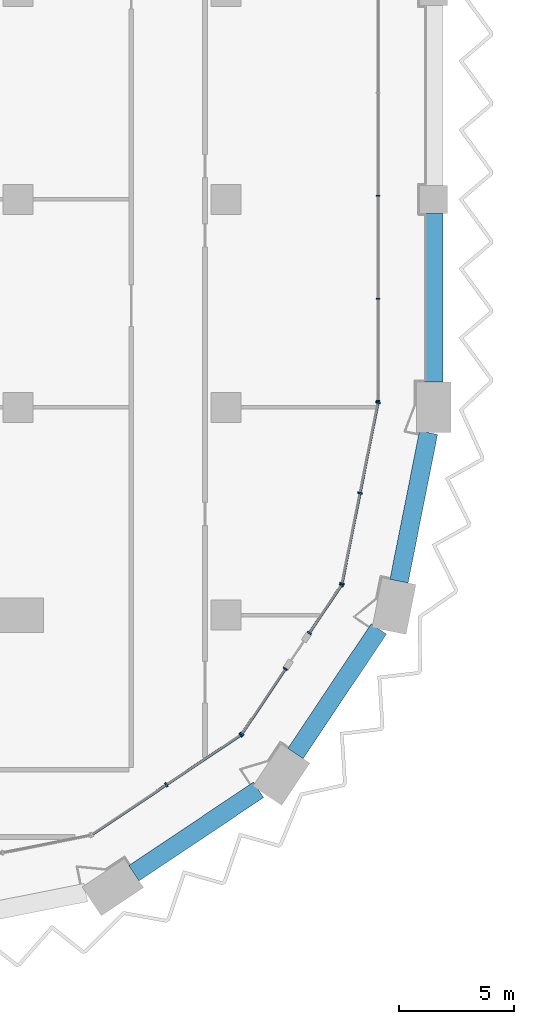
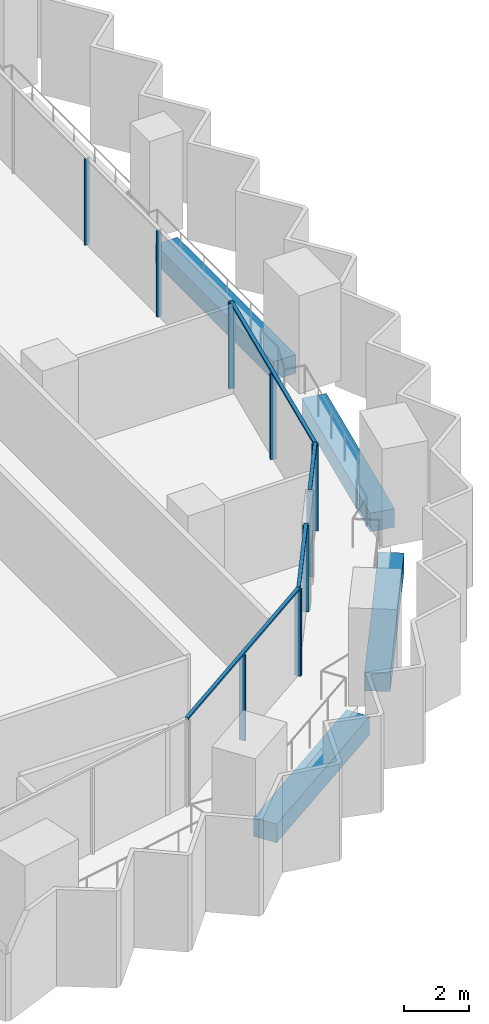
# One storey, part 3 of 23: 16 members, 4 beams, 5 elements without a shape of their own.
"""IFC4 building model written with IfcOpenShell, lengths in metres."""

import ifcopenshell
import ifcopenshell.guid

model = None  # the IFC model being written
_history = None  # IfcOwnerHistory: only IFC2X3 demands one
_inside = {}  # id of a spatial element -> (the spatial element, [elements in it])
_under = {}  # id of a project, library or spatial element -> (it, [spatial elements below it])
_declared = {}  # id of a project -> (the project, [libraries it declares])
_typed = {}  # id of a type object -> (the type object, [elements of that type])
_made_of = {}  # id of a material, layer set ... -> (it, [elements and type objects made of it])


def new_model(schema):
    """Start an empty IFC model of exactly this schema.

    Asked for "IFC4X3", IfcOpenShell would pick the latest addendum, in which some entities
    have other attributes; the version numbers below select the first issue.
    IFC2X3 requires an IfcOwnerHistory on every rooted entity: one is made here for all.
    """
    global model, _history
    if schema == "IFC4X3":
        model = ifcopenshell.file(schema_version=(4, 3, 0, 0))
    else:
        model = ifcopenshell.file(schema=schema)
    _inside.clear()
    _under.clear()
    _declared.clear()
    _typed.clear()
    _made_of.clear()
    _history = None
    if model.schema == "IFC2X3":
        org = make("IfcOrganization", Name="unknown")
        user = make(
            "IfcPersonAndOrganization",
            ThePerson=make("IfcPerson", FamilyName="unknown"),
            TheOrganization=org,
        )
        app = make(
            "IfcApplication",
            ApplicationDeveloper=org,
            Version="unknown",
            ApplicationFullName="unknown",
            ApplicationIdentifier="unknown",
        )
        _history = make(
            "IfcOwnerHistory",
            OwningUser=user,
            OwningApplication=app,
            ChangeAction="ADDED",
            CreationDate=0,
        )
    return model


def make(cls, **values):
    """One entity of the class cls with the attributes given. An attribute that is None is left unset."""
    return model.create_entity(
        cls, **{name: value for name, value in values.items() if value is not None}
    )


def rooted(cls, **values):
    """An entity with a GlobalId (a new one), such as an element, a storey or a relation."""
    return make(cls, GlobalId=ifcopenshell.guid.new(), OwnerHistory=_history, **values)


def si_unit(unit_type, name, prefix=None):
    """IfcSIUnit, for example si_unit("LENGTHUNIT", "METRE", prefix="MILLI")."""
    return make("IfcSIUnit", UnitType=unit_type, Prefix=prefix, Name=name)


def assignment(units):
    """IfcUnitAssignment: the units of a project."""
    return None if units is None else make("IfcUnitAssignment", Units=units)


def point(xyz):
    """IfcCartesianPoint."""
    return None if xyz is None else make("IfcCartesianPoint", Coordinates=xyz)


def direction(xyz):
    """IfcDirection."""
    return None if xyz is None else make("IfcDirection", DirectionRatios=xyz)


def frame(location, z_axis=None, x_axis=None):
    """IfcAxis2Placement3D, a coordinate frame: its origin and axes. An axis left out is left unset."""
    return make(
        "IfcAxis2Placement3D",
        Location=point(location),
        Axis=direction(z_axis),
        RefDirection=direction(x_axis),
    )


def frame_2d(location, x_axis=None):
    """IfcAxis2Placement2D, a coordinate frame in the plane: its origin and x axis."""
    return make(
        "IfcAxis2Placement2D", Location=point(location), RefDirection=direction(x_axis)
    )


def origin():
    """The frame at (0, 0, 0) with its axes left unset."""
    return frame((0.0, 0.0, 0.0))


def origin_2d():
    """The frame at (0, 0) in the plane with its x axis left unset."""
    return frame_2d((0.0, 0.0))


def place(relative_to, where):
    """IfcLocalPlacement: puts the frame where relative to a parent placement (None: the world)."""
    return make(
        "IfcLocalPlacement", PlacementRelTo=relative_to, RelativePlacement=where
    )


def context(
    kind, dimensions, precision=None, world=None, true_north=None, identifier=None
):
    """IfcGeometricRepresentationContext, for example the 3D "Model" context."""
    return make(
        "IfcGeometricRepresentationContext",
        ContextIdentifier=identifier,
        ContextType=kind,
        CoordinateSpaceDimension=dimensions,
        Precision=precision,
        WorldCoordinateSystem=world,
        TrueNorth=true_north,
    )


def subcontext(parent, identifier, kind, view, scale=None):
    """IfcGeometricRepresentationSubContext, for example "Body" below "Model"."""
    return make(
        "IfcGeometricRepresentationSubContext",
        ContextIdentifier=identifier,
        ContextType=kind,
        ParentContext=parent,
        TargetScale=scale,
        TargetView=view,
    )


def project(units=None, contexts=None):
    """IfcProject with its units and contexts."""
    return rooted(
        "IfcProject",
        Name="project",
        RepresentationContexts=contexts,
        UnitsInContext=assignment(units),
    )


def spatial(cls, under=None, at=None, **own):
    """A site, building, storey or space (cls), placed at a placement, below another one or the project."""
    s = rooted(cls, ObjectPlacement=at, **own)
    if under is not None:
        _under.setdefault(under.id(), (under, []))[1].append(s)
    return s


def profile(cls, at=None, kind="AREA", **sizes):
    """A parametric profile (cls). Its sizes go by their IFC names, for example OverallWidth=200.0."""
    return make(cls, ProfileType=kind, Position=at, **sizes)


def rectangle(**sizes):
    """IfcRectangleProfileDef."""
    return profile("IfcRectangleProfileDef", **sizes)


def extrude(swept, where, along, depth):
    """IfcExtrudedAreaSolid: the profile swept, set in the frame where, extruded along a direction by depth."""
    return make(
        "IfcExtrudedAreaSolid",
        SweptArea=swept,
        Position=where,
        ExtrudedDirection=direction(along),
        Depth=depth,
    )


def shape(context_of_items, identifier, shape_type, items):
    """IfcShapeRepresentation: the items that make up one representation, for example the "Body"."""
    return make(
        "IfcShapeRepresentation",
        ContextOfItems=context_of_items,
        RepresentationIdentifier=identifier,
        RepresentationType=shape_type,
        Items=items,
    )


def material(Name=None, Category=None):
    """IfcMaterial."""
    return make("IfcMaterial", Name=Name, Category=Category)


def material_profile(
    of_material, cross_section, Name=None, Category=None, Priority=None
):
    """IfcMaterialProfile: a cross section and its material."""
    return make(
        "IfcMaterialProfile",
        Name=Name,
        Material=of_material,
        Profile=cross_section,
        Priority=Priority,
        Category=Category,
    )


def profile_set(profiles, Name=None, composite=None):
    """IfcMaterialProfileSet."""
    return make(
        "IfcMaterialProfileSet",
        Name=Name,
        MaterialProfiles=profiles,
        CompositeProfile=composite,
    )


def made_of(thing, what):
    """Note that an element or type object is made of a material, layer set ...; save() writes the relation."""
    if what is not None:
        _made_of.setdefault(what.id(), (what, []))[1].append(thing)
    return thing


def type_object(cls, material=None, **own):
    """A type object (cls), such as IfcWallType, which elements share."""
    return made_of(rooted(cls, **own), material)


def element(
    cls,
    number,
    at=None,
    inside=None,
    cuts=None,
    type_object=None,
    material=None,
    context=None,
    identifier="Body",
    shape_type=None,
    held_by="IfcProductDefinitionShape",
    body=None,
    shapes=None,
    **own,
):
    """One element of the class cls, such as IfcWall. Its Tag is "e" and its number.

    at: its placement. inside: the storey or other place that contains it. cuts: it is an
    opening in that element (IfcRelVoidsElement). A single representation is given by context,
    identifier, shape_type and body (its items); several are given by shapes. held_by: the class
    of the entity that holds the representations. save() writes the other relations.
    """
    e = rooted(cls, Tag="e%d" % number, ObjectPlacement=at, **own)
    if body is not None:
        shapes = [shape(context, identifier, shape_type, body)]
    if shapes is not None:
        e.Representation = make(held_by, Representations=shapes)
    if inside is not None:
        _inside.setdefault(inside.id(), (inside, []))[1].append(e)
    if cuts is not None:
        rooted(
            "IfcRelVoidsElement", RelatingBuildingElement=cuts, RelatedOpeningElement=e
        )
    if type_object is not None:
        _typed.setdefault(type_object.id(), (type_object, []))[1].append(e)
    return made_of(e, material)


def aggregate(whole, parts):
    """IfcRelAggregates: a whole, such as a stair, and the parts it consists of."""
    return rooted("IfcRelAggregates", RelatingObject=whole, RelatedObjects=parts)


def save(model, path):
    """Write the relations noted so far, then the file.

    IfcRelAggregates (storeys below a building ...), IfcRelContainedInSpatialStructure (elements
    in a storey), IfcRelDefinesByType, IfcRelAssociatesMaterial and IfcRelDeclares: one each for
    every whole, place, type object, material and project.
    """
    for whole, parts in _under.values():
        aggregate(whole, parts)
    for where, things in _inside.values():
        rooted(
            "IfcRelContainedInSpatialStructure",
            RelatedElements=things,
            RelatingStructure=where,
        )
    for kind, things in _typed.values():
        rooted("IfcRelDefinesByType", RelatedObjects=things, RelatingType=kind)
    for what, things in _made_of.values():
        rooted("IfcRelAssociatesMaterial", RelatedObjects=things, RelatingMaterial=what)
    for by, libraries in _declared.values():
        rooted("IfcRelDeclares", RelatingContext=by, RelatedDefinitions=libraries)
    model.write(path)


model = new_model("IFC4")

# Units and contexts
model_context = context("Model", 3, precision=1e-05, world=origin(), true_north=direction((0.0, 1.0)))
body_context = subcontext(model_context, "Body", "Model", "MODEL_VIEW")
ifc_project = project(units=[si_unit("LENGTHUNIT", "METRE"), si_unit("AREAUNIT", "SQUARE_METRE"), si_unit("VOLUMEUNIT", "CUBIC_METRE"), si_unit("PLANEANGLEUNIT", "RADIAN"), si_unit("MASSUNIT", "GRAM", prefix="KILO")], contexts=[model_context])

# Site, building, storey
site_placement = place(None, origin())
site = spatial("IfcSite", under=ifc_project, at=site_placement, CompositionType="ELEMENT")
building_placement = place(site_placement, origin())
building = spatial("IfcBuilding", under=site, at=building_placement, Name="Hunhe Ridgeline Campus", CompositionType="ELEMENT")
storey_placement = place(building_placement, frame((0.0, 0.0, 103.300048828125)))
storey = spatial("IfcBuildingStorey", under=building, at=storey_placement, Name="L25", CompositionType="ELEMENT", Elevation=103.300048828125)

# Curtain wall, members
ifc_material_1 = material(Name="Aluminium 6063", Category="aluminium")
curtain_wall_type_1 = type_object("IfcCurtainWallType", Name="Curtain wall CW-1", PredefinedType="NOTDEFINED", material=ifc_material_1)
curtain_wall_1_placement = place(storey_placement, origin())
curtain_wall_1 = element("IfcCurtainWall", 1, at=curtain_wall_1_placement, inside=storey, type_object=curtain_wall_type_1, Name="Curtain wall 11", PredefinedType="NOTDEFINED")
ifc_material_profile_1 = material_profile(ifc_material_1, rectangle(XDim=0.159912109375, YDim=0.06005859375, at=origin_2d()))
ifc_profile_set_1 = profile_set([ifc_material_profile_1], Name="Aluminium 6063")
member_type_1 = type_object("IfcMemberType", Name="CW-1 aluminium mullion", PredefinedType="MULLION", material=ifc_profile_set_1)
member_1_placement = place(storey_placement, frame((42.59912109375, 27.266357421875, 0.0), z_axis=(0.0, 0.0, 1.0), x_axis=(-0.99999999994, 1.0947456e-05, 0.0)))
member_1 = element("IfcMember", 2, at=member_1_placement, type_object=member_type_1, Name="CW-1 mullion 1", PredefinedType="MULLION", context=body_context, shape_type="SweptSolid", body=[
    extrude(rectangle(XDim=0.159912109375, YDim=0.06005859375, at=origin_2d()), origin(), (0.0, 0.0, 1.0), 3.239990234375),
])
member_2_placement = place(storey_placement, frame((42.59912109375, 31.697265625, 0.0), z_axis=(0.0, 0.0, 1.0), x_axis=(-0.99999999994, 1.0947456e-05, 0.0)))
member_2 = element("IfcMember", 3, at=member_2_placement, type_object=member_type_1, Name="CW-1 mullion 2", PredefinedType="MULLION", context=body_context, shape_type="SweptSolid", body=[
    extrude(rectangle(XDim=0.159912109375, YDim=0.06005859375, at=origin_2d()), origin(), (0.0, 0.0, 1.0), 3.239990234375),
])
member_3_placement = place(storey_placement, frame((42.59912109375, 36.157958984375, 0.0), z_axis=(0.0, 0.0, 1.0), x_axis=(-0.99999999994, 1.0947456e-05, 0.0)))
member_3 = element("IfcMember", 4, at=member_3_placement, type_object=member_type_1, Name="CW-1 mullion 3", PredefinedType="MULLION", context=body_context, shape_type="SweptSolid", body=[
    extrude(rectangle(XDim=0.159912109375, YDim=0.06005859375, at=origin_2d()), origin(), (0.0, 0.0, 1.0), 3.239990234375),
])
aggregate(curtain_wall_1, [member_1, member_2, member_3])

curtain_wall_type_2 = type_object("IfcCurtainWallType", Name="Curtain wall CW-5", PredefinedType="NOTDEFINED", material=ifc_material_1)
curtain_wall_2_placement = place(storey_placement, origin())
curtain_wall_2 = element("IfcCurtainWall", 5, at=curtain_wall_2_placement, inside=storey, type_object=curtain_wall_type_2, Name="Curtain wall 07", PredefinedType="NOTDEFINED")
ifc_material_profile_2 = material_profile(ifc_material_1, rectangle(XDim=0.199951171875, YDim=0.070068359375, at=origin_2d()))
ifc_profile_set_2 = profile_set([ifc_material_profile_2], Name="Aluminium 6063")
member_type_2 = type_object("IfcMemberType", Name="CW-5 aluminium mullion", PredefinedType="MULLION", material=ifc_profile_set_2)
member_4_placement = place(storey_placement, frame((33.42626953125, 10.647705078125, 0.0), z_axis=(0.0, 0.0, 1.0), x_axis=(-0.555570274596, 0.831469584522, 0.0)))
member_4 = element("IfcMember", 6, at=member_4_placement, type_object=member_type_2, Name="CW-5 mullion 2", PredefinedType="MULLION", context=body_context, shape_type="SweptSolid", body=[
    extrude(rectangle(XDim=0.199951171875, YDim=0.070068359375, at=origin_2d()), origin(), (0.0, 0.0, 1.0), 3.22998046875),
])
member_5_placement = place(storey_placement, frame((36.649658203125, 12.8017578125, 0.0), z_axis=(0.0, 0.0, 1.0), x_axis=(-0.555570274596, 0.831469584522, 0.0)))
member_5 = element("IfcMember", 7, at=member_5_placement, type_object=member_type_2, Name="CW-5 mullion 3", PredefinedType="MULLION", context=body_context, shape_type="SweptSolid", body=[
    extrude(rectangle(XDim=0.199951171875, YDim=0.070068359375, at=origin_2d()), origin(), (0.0, 0.0, 1.0), 3.22998046875),
])

curtain_wall_3_placement = place(storey_placement, origin())
curtain_wall_3 = element("IfcCurtainWall", 8, at=curtain_wall_3_placement, inside=storey, type_object=curtain_wall_type_2, Name="Curtain wall 08", PredefinedType="NOTDEFINED")
member_6_placement = place(storey_placement, frame((36.6982421875, 12.850341796875, 0.0), z_axis=(0.0, 0.0, 1.0), x_axis=(-0.831469595944, 0.555570257501, 0.0)))
member_6 = element("IfcMember", 9, at=member_6_placement, type_object=member_type_2, Name="CW-5 mullion 1", PredefinedType="MULLION", context=body_context, shape_type="SweptSolid", body=[
    extrude(rectangle(XDim=0.199951171875, YDim=0.070068359375, at=origin_2d()), origin(), (0.0, 0.0, 1.0), 3.22998046875),
])
member_7_placement = place(storey_placement, frame((38.582763671875, 15.67041015625, 0.0), z_axis=(0.0, 0.0, 1.0), x_axis=(-0.831469595944, 0.555570257501, 0.0)))
member_7 = element("IfcMember", 10, at=member_7_placement, type_object=member_type_2, Name="CW-5 mullion 2", PredefinedType="MULLION", context=body_context, shape_type="SweptSolid", body=[
    extrude(rectangle(XDim=0.199951171875, YDim=0.070068359375, at=origin_2d()), origin(), (0.0, 0.0, 1.0), 3.22998046875),
])

curtain_wall_4_placement = place(storey_placement, origin())
curtain_wall_4 = element("IfcCurtainWall", 11, at=curtain_wall_4_placement, inside=storey, type_object=curtain_wall_type_2, Name="Curtain wall 09", PredefinedType="NOTDEFINED")
member_8_placement = place(storey_placement, frame((39.62158203125, 17.225341796875, 0.0), z_axis=(0.0, 0.0, 1.0), x_axis=(-0.831469510353, 0.555570385598, 0.0)))
member_8 = element("IfcMember", 12, at=member_8_placement, type_object=member_type_2, Name="CW-5 mullion 1", PredefinedType="MULLION", context=body_context, shape_type="SweptSolid", body=[
    extrude(rectangle(XDim=0.199951171875, YDim=0.070068359375, at=origin_2d()), origin(), (0.0, 0.0, 1.0), 3.22998046875),
])
member_9_placement = place(storey_placement, frame((41.006103515625, 19.29736328125, 0.0), z_axis=(0.0, 0.0, 1.0), x_axis=(-0.831469510353, 0.555570385598, 0.0)))
member_9 = element("IfcMember", 13, at=member_9_placement, type_object=member_type_2, Name="CW-5 mullion 2", PredefinedType="MULLION", context=body_context, shape_type="SweptSolid", body=[
    extrude(rectangle(XDim=0.199951171875, YDim=0.070068359375, at=origin_2d()), origin(), (0.0, 0.0, 1.0), 3.22998046875),
])

curtain_wall_5_placement = place(storey_placement, origin())
curtain_wall_5 = element("IfcCurtainWall", 14, at=curtain_wall_5_placement, inside=storey, type_object=curtain_wall_type_2, Name="Curtain wall 10", PredefinedType="NOTDEFINED")
member_10_placement = place(storey_placement, frame((41.032470703125, 19.36083984375, 0.0), z_axis=(0.0, 0.0, 1.0), x_axis=(-0.980785284939, 0.195090299215, 0.0)))
member_10 = element("IfcMember", 15, at=member_10_placement, type_object=member_type_2, Name="CW-5 mullion 1", PredefinedType="MULLION", context=body_context, shape_type="SweptSolid", body=[
    extrude(rectangle(XDim=0.199951171875, YDim=0.070068359375, at=origin_2d()), origin(), (0.0, 0.0, 1.0), 3.22998046875),
])
member_11_placement = place(storey_placement, frame((41.812255859375, 23.281494140625, 0.0), z_axis=(0.0, 0.0, 1.0), x_axis=(-0.980785284939, 0.195090299215, 0.0)))
member_11 = element("IfcMember", 16, at=member_11_placement, type_object=member_type_2, Name="CW-5 mullion 2", PredefinedType="MULLION", context=body_context, shape_type="SweptSolid", body=[
    extrude(rectangle(XDim=0.199951171875, YDim=0.070068359375, at=origin_2d()), origin(), (0.0, 0.0, 1.0), 3.22998046875),
])
member_12_placement = place(storey_placement, frame((42.59228515625, 27.2021484375, 0.0), z_axis=(0.0, 0.0, 1.0), x_axis=(-0.980785284939, 0.195090299215, 0.0)))
member_12 = element("IfcMember", 17, at=member_12_placement, type_object=member_type_2, Name="CW-5 mullion 3", PredefinedType="MULLION", context=body_context, shape_type="SweptSolid", body=[
    extrude(rectangle(XDim=0.199951171875, YDim=0.070068359375, at=origin_2d()), origin(), (0.0, 0.0, 1.0), 3.22998046875),
])

# Member
ifc_material_profile_3 = material_profile(ifc_material_1, rectangle(XDim=0.1201171875, YDim=0.070068359375, at=origin_2d()))
ifc_profile_set_3 = profile_set([ifc_material_profile_3], Name="Aluminium 6063")
member_type_3 = type_object("IfcMemberType", Name="CW-5 aluminium transom", PredefinedType="USERDEFINED", material=ifc_profile_set_3)
member_13_placement = place(storey_placement, frame((30.173583984375, 8.474365234375, 3.264892578125), z_axis=(0.831473763475, 0.5555640203, 0.0), x_axis=(-0.5555640203, 0.831473763475, 0.0)))
member_13 = element("IfcMember", 18, at=member_13_placement, type_object=member_type_3, Name="CW-5 transom 1", ObjectType="TRANSOM", PredefinedType="USERDEFINED", context=body_context, shape_type="SweptSolid", body=[
    extrude(rectangle(XDim=0.1201171875, YDim=0.070068359375, at=origin_2d()), origin(), (0.0, 0.0, 1.0), 7.823974609375),
])

aggregate(curtain_wall_2, [member_13, member_4, member_5])

member_14_placement = place(storey_placement, frame((36.678955078125, 12.821044921875, 3.264892578125), z_axis=(0.555546133463, 0.831485714606, 0.0), x_axis=(-0.831485714606, 0.555546133463, 0.0)))
member_14 = element("IfcMember", 19, at=member_14_placement, type_object=member_type_3, Name="CW-5 transom 1", ObjectType="TRANSOM", PredefinedType="USERDEFINED", context=body_context, shape_type="SweptSolid", body=[
    extrude(rectangle(XDim=0.1201171875, YDim=0.070068359375, at=origin_2d()), origin(), (0.0, 0.0, 1.0), 3.462158203125),
])

aggregate(curtain_wall_3, [member_14, member_6, member_7])

member_15_placement = place(storey_placement, frame((39.602294921875, 17.1962890625, 3.264892578125), z_axis=(0.555579547735, 0.831463388334, 0.0), x_axis=(-0.831463388334, 0.555579547735, 0.0)))
member_15 = element("IfcMember", 20, at=member_15_placement, type_object=member_type_3, Name="CW-5 transom 1", ObjectType="TRANSOM", PredefinedType="USERDEFINED", context=body_context, shape_type="SweptSolid", body=[
    extrude(rectangle(XDim=0.1201171875, YDim=0.070068359375, at=origin_2d()), origin(), (0.0, 0.0, 1.0), 2.56201171875),
])

aggregate(curtain_wall_4, [member_15, member_8, member_9])

member_16_placement = place(storey_placement, frame((41.025634765625, 19.326416015625, 3.264892578125), z_axis=(0.195097290093, 0.980783894341, 0.0), x_axis=(-0.980783894341, 0.195097290093, 0.0)))
member_16 = element("IfcMember", 21, at=member_16_placement, type_object=member_type_3, Name="CW-5 transom 1", ObjectType="TRANSOM", PredefinedType="USERDEFINED", context=body_context, shape_type="SweptSolid", body=[
    extrude(rectangle(XDim=0.1201171875, YDim=0.070068359375, at=origin_2d()), origin(), (0.0, 0.0, 1.0), 8.065185546875),
])

aggregate(curtain_wall_5, [member_16, member_10, member_11, member_12])

# Beams
ifc_material_2 = material(Name="Concrete C60", Category="concrete")
ifc_material_profile_4 = material_profile(ifc_material_2, rectangle(XDim=0.800048828125, YDim=0.699951171875, at=origin_2d()))
ifc_profile_set_4 = profile_set([ifc_material_profile_4], Name="Concrete C60")
beam_type = type_object("IfcBeamType", Name="RC spandrel beam 800x700 Concrete C60", PredefinedType="SPANDREL", material=ifc_profile_set_4)
for number, where, z_axis, x_axis, name in (
    (22, (32.02490234375, 6.82373046875, -0.60009765625), (0.831459384183, 0.555585540178, 0.0), (-0.555585540178, 0.831459384183, 0.0), "Spandrel beam B1-6 L25"),
    (23, (39.02099609375, 12.004638671875, -0.60009765625), (0.555559527577, 0.831476765351, 0.0), (-0.831476765351, 0.555559527577, 0.0), "Spandrel beam B1-7 L25"),
):
    element("IfcBeam", number, at=place(storey_placement, frame(where, z_axis=z_axis, x_axis=x_axis)), inside=storey, type_object=beam_type, Name=name, PredefinedType="SPANDREL", context=body_context, shape_type="SweptSolid", body=[
        extrude(rectangle(XDim=0.800048828125, YDim=0.699951171875, at=origin_2d()), origin(), (0.0, 0.0, 1.0), 6.488525390625),
    ])
beam_1_placement = place(storey_placement, frame((43.501953125, 19.468505859375, -0.60009765625), z_axis=(0.195092166671, 0.980784913477, 0.0), x_axis=(-0.980784913477, 0.195092166671, 0.0)))
element("IfcBeam", 24, at=beam_1_placement, inside=storey, type_object=beam_type, Name="Spandrel beam B1-8 L25", PredefinedType="SPANDREL", context=body_context, shape_type="SweptSolid", body=[
    extrude(rectangle(XDim=0.800048828125, YDim=0.699951171875, at=origin_2d()), origin(), (0.0, 0.0, 1.0), 6.557373046875),
])
beam_2_placement = place(storey_placement, frame((45.0, 28.10009765625, -0.60009765625), z_axis=(0.0, 1.0, 0.0), x_axis=(-1.0, 0.0, 0.0)))
element("IfcBeam", 25, at=beam_2_placement, inside=storey, type_object=beam_type, Name="Spandrel beam B1-9 L25", PredefinedType="SPANDREL", context=body_context, shape_type="SweptSolid", body=[
    extrude(rectangle(XDim=0.800048828125, YDim=0.699951171875, at=origin_2d()), origin(), (0.0, 0.0, 1.0), 7.2998046875),
])

save(model, "model.ifc")
